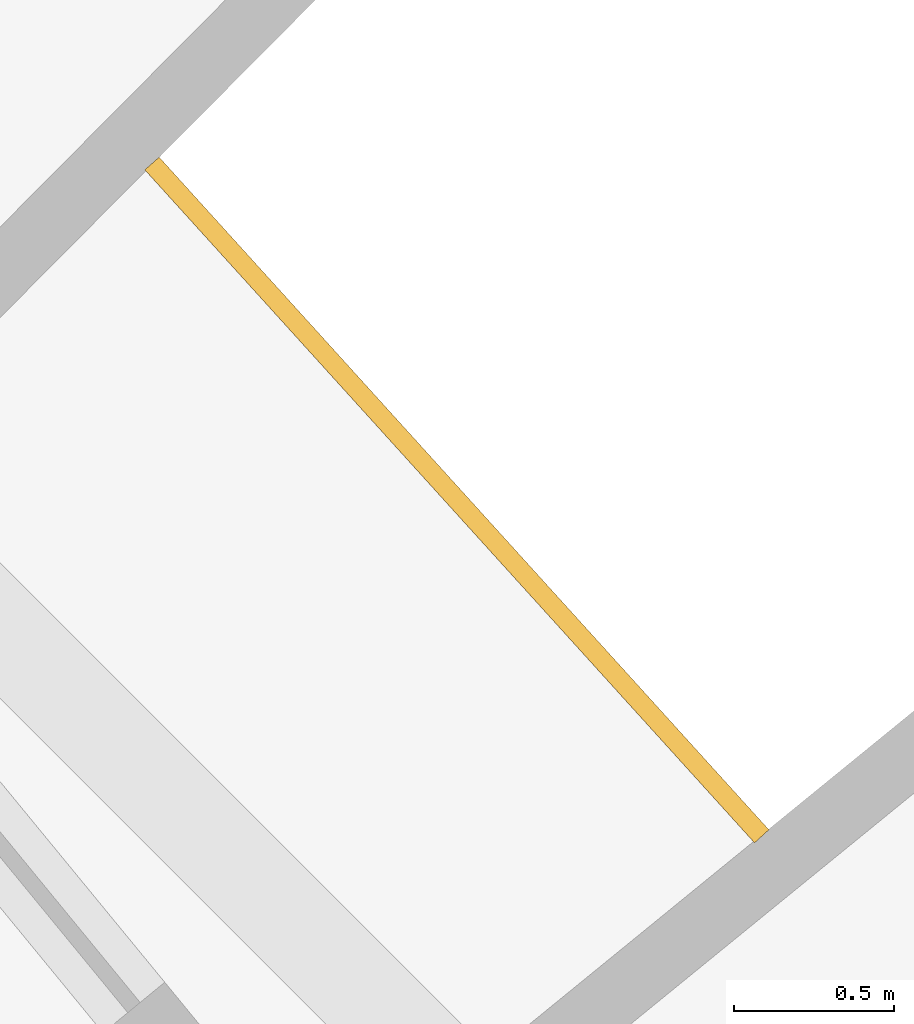
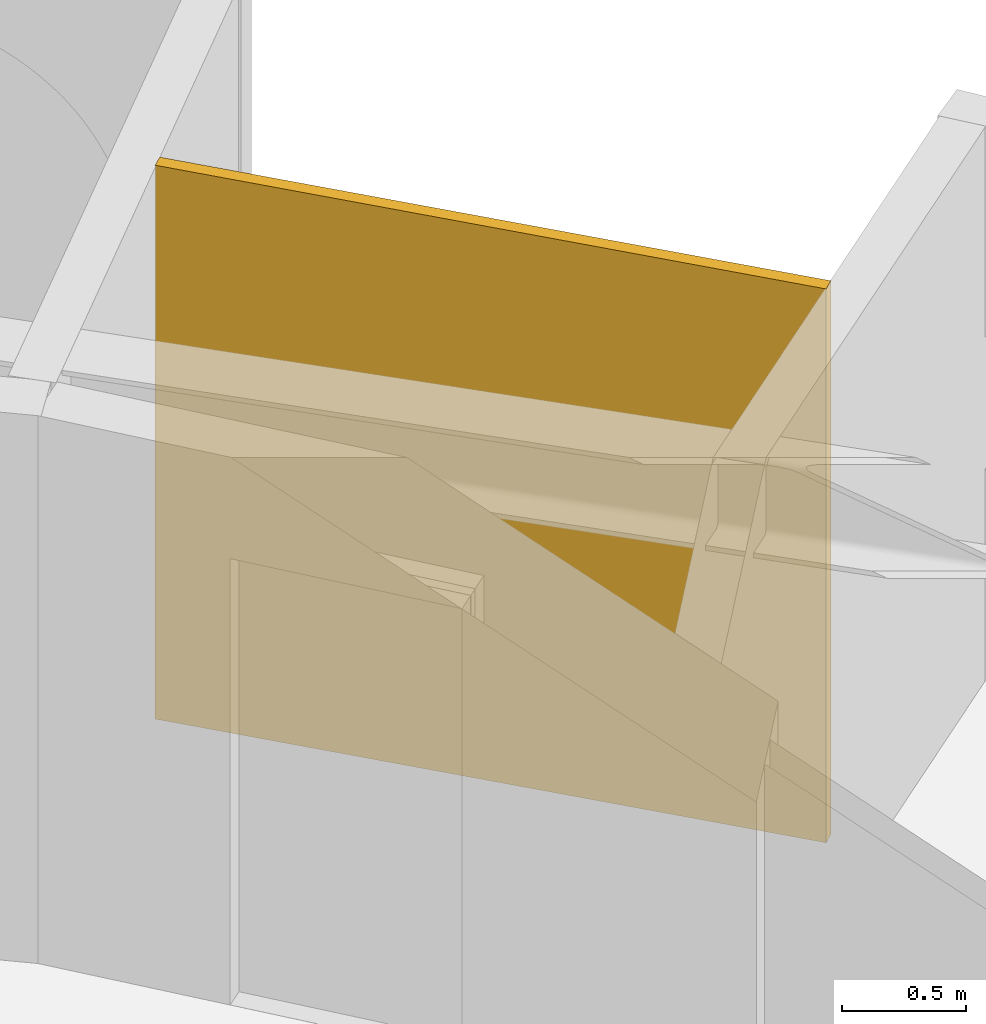
# One storey, part 28 of 28: 1 railing.
"""IFC4 building model written with IfcOpenShell, lengths in metres."""

from ifc_helpers import new_model, si_unit, direction, frame, origin, place, context, subcontext, project, spatial, polyline, outline, extrude, material, layer, layer_set, type_object, element, save


model = new_model("IFC4")

# Units and contexts
model_context = context("Model", 3, precision=1e-05, world=origin(), true_north=direction((0.0, 1.0)))
body_context = subcontext(model_context, "Body", "Model", "MODEL_VIEW")
ifc_project = project(units=[si_unit("LENGTHUNIT", "METRE"), si_unit("AREAUNIT", "SQUARE_METRE"), si_unit("VOLUMEUNIT", "CUBIC_METRE"), si_unit("PLANEANGLEUNIT", "RADIAN"), si_unit("MASSUNIT", "GRAM", prefix="KILO")], contexts=[model_context])

# Site, building, storey
site_placement = place(None, origin())
site = spatial("IfcSite", under=ifc_project, at=site_placement, CompositionType="ELEMENT")
building_placement = place(site_placement, origin())
building = spatial("IfcBuilding", under=site, at=building_placement, Name="Maasbend Ring Residences", CompositionType="ELEMENT")
storey_placement = place(building_placement, frame((0.0, 0.0, 129.949951171875)))
storey = spatial("IfcBuildingStorey", under=building, at=storey_placement, Name="L37", CompositionType="ELEMENT", Elevation=129.949951171875)

# Railing
ifc_material = material(Name="Pale anodised perforated aluminium", Category="aluminium")
ifc_layer = layer(ifc_material, 0.06005859375)
ifc_layer_set = layer_set([ifc_layer], Name="SCREEN-P")
railing_type = type_object("IfcRailingType", Name="SCREEN-P", PredefinedType="GUARDRAIL", material=ifc_layer_set)
railing_placement = place(storey_placement, frame((0.0, 0.0, -0.030029296875)))
element("IfcRailing", 1, at=railing_placement, inside=storey, type_object=railing_type, Name="Perforated screen guard 1", PredefinedType="GUARDRAIL", context=body_context, shape_type="SweptSolid", body=[
    extrude(outline(polyline([(22.4169921875, 18.39697265625), (20.506103515625, 20.506103515625), (20.551025390625, 20.5458984375), (22.4619140625, 18.43798828125), (22.4169921875, 18.39697265625)])), origin(), (0.0, 0.0, 1.0), 2.72998046875),
])

save(model, "model.ifc")
